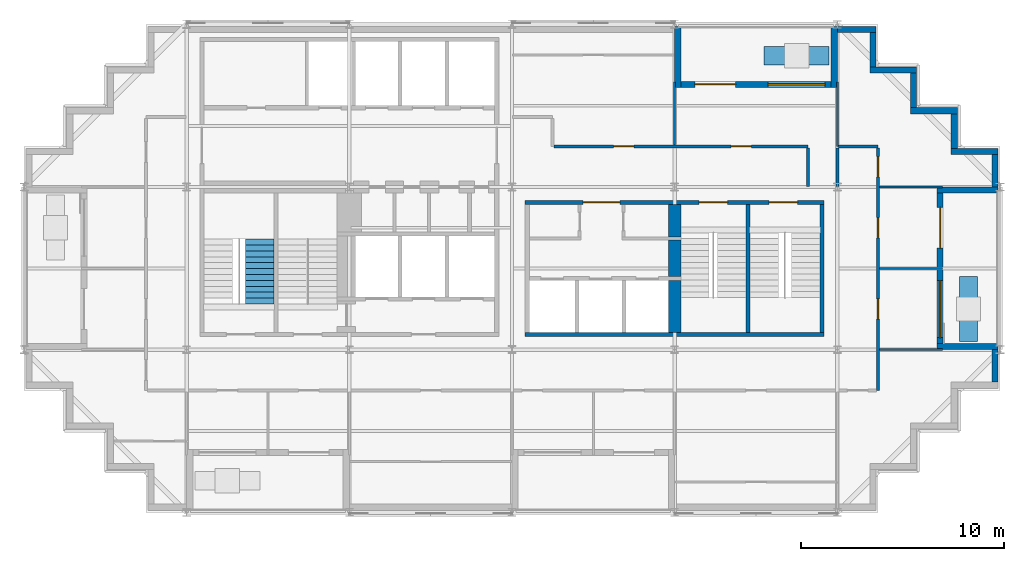
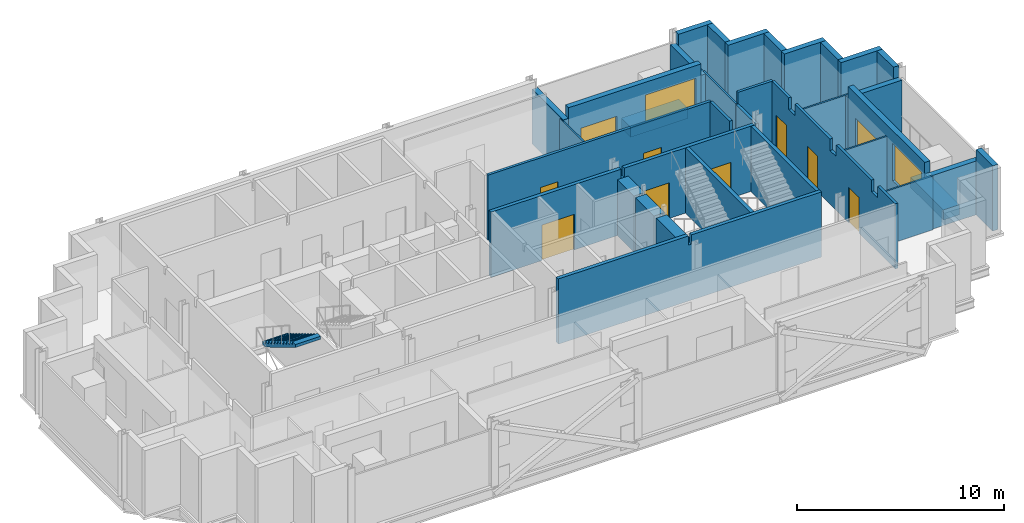
# One storey, part 7 of 10: 34 walls, 10 doors, 2 windows, 1 stair flight, 12 openings, 1 element without a shape of its own.
"""IFC4 building model written with IfcOpenShell, lengths in metres."""

from ifc_helpers import new_model, si_unit, direction, frame, frame_2d, origin, place, context, subcontext, project, spatial, polyline, rectangle, outline, extrude, material, layer, layer_set, type_object, element, fill, aggregate, save


model = new_model("IFC4")

# Units and contexts
model_context = context("Model", 3, precision=1e-05, world=origin(), true_north=direction((0.0, 1.0)))
body_context = subcontext(model_context, "Body", "Model", "MODEL_VIEW")
ifc_project = project(units=[si_unit("LENGTHUNIT", "METRE"), si_unit("AREAUNIT", "SQUARE_METRE"), si_unit("VOLUMEUNIT", "CUBIC_METRE"), si_unit("PLANEANGLEUNIT", "RADIAN"), si_unit("MASSUNIT", "GRAM", prefix="KILO")], contexts=[model_context])

# Site, building, storey
site_placement = place(None, origin())
site = spatial("IfcSite", under=ifc_project, at=site_placement, CompositionType="ELEMENT")
building_placement = place(site_placement, origin())
building = spatial("IfcBuilding", under=site, at=building_placement, Name="Immortelle Media Tower", CompositionType="ELEMENT")
storey_placement = place(building_placement, frame((0.0, 0.0, 251.0)))
storey = spatial("IfcBuildingStorey", under=building, at=storey_placement, Name="L54", CompositionType="ELEMENT", Elevation=251.0)

# Wall, openings, doors
ifc_material_1 = material(Name="Fire-rated gypsum board", Category="gypsum")
ifc_layer_1 = layer(ifc_material_1, 0.012451171875)
ifc_material_2 = material(Name="Steel ASTM A653 SS Gr 50 stud frame with mineral wool", Category="steel")
ifc_layer_2 = layer(ifc_material_2, 0.125)
ifc_layer_3 = layer(ifc_material_1, 0.012451171875)
ifc_layer_set_1 = layer_set([ifc_layer_1, ifc_layer_2, ifc_layer_3], Name="Steel ASTM A653 SS Gr 50 stud frame with mineral wool")
wall_type_1 = type_object("IfcWallType", Name="Corridor wall 150", PredefinedType="PARTITIONING", material=ifc_layer_set_1)
wall_1_placement = place(storey_placement, frame((42.0, 6.0, 0.0), z_axis=(0.0, 0.0, 1.0), x_axis=(0.0, 1.0, 0.0)))
wall_1 = element("IfcWall", 1, at=wall_1_placement, inside=storey, type_object=wall_type_1, Name="Partition L54-015", PredefinedType="PARTITIONING", context=body_context, shape_type="SweptSolid", body=[
    extrude(outline(polyline([(0.0, 0.0), (11.925048828125, 0.0), (11.925048828125, 3.85009765625), (10.300048828125, 3.85009765625), (10.298095703125, 3.172119140625), (9.701904296875, 3.172119140625), (9.699951171875, 3.85009765625), (6.300048828125, 3.85009765625), (6.298095703125, 3.172119140625), (5.701904296875, 3.172119140625), (5.699951171875, 3.85009765625), (2.300048828125, 3.85009765625), (2.298095703125, 3.172119140625), (1.701904296875, 3.172119140625), (1.699951171875, 3.85009765625), (0.0, 3.85009765625), (0.0, 0.0)])), frame((0.0, 0.074951171875, 0.0), z_axis=(0.0, -1.0, 0.0), x_axis=(1.0, 0.0, 0.0)), (0.0, 0.0, 1.0), 0.14990234375),
])
opening_1_placement = place(wall_1_placement, frame((4.5, 0.0, 0.0), z_axis=(0.0, 0.0, 1.0), x_axis=(-1.0, 0.0, 0.0)))
opening_1 = element("IfcOpeningElement", 2, at=opening_1_placement, cuts=wall_1, Name="Opening X1-F014", PredefinedType="OPENING", context=body_context, shape_type="SweptSolid", body=[
    extrude(rectangle(XDim=1.0, YDim=2.10009765625, at=frame_2d((0.5, 1.050048828125))), frame((0.0, 0.0849609375, 0.0), z_axis=(0.0, -1.0, 0.0), x_axis=(1.0, 0.0, 0.0)), (0.0, 0.0, 1.0), 0.169921875),
])
opening_2_placement = place(wall_1_placement, frame((8.5, 0.0, 0.0), z_axis=(0.0, 0.0, 1.0), x_axis=(-1.0, 0.0, 0.0)))
opening_2 = element("IfcOpeningElement", 3, at=opening_2_placement, cuts=wall_1, Name="Opening X1-F015", PredefinedType="OPENING", context=body_context, shape_type="SweptSolid", body=[
    extrude(rectangle(XDim=1.0, YDim=2.10009765625, at=frame_2d((0.5, 1.050048828125))), frame((0.0, 0.0849609375, 0.0), z_axis=(0.0, -1.0, 0.0), x_axis=(1.0, 0.0, 0.0)), (0.0, 0.0, 1.0), 0.169921875),
])
opening_3_placement = place(wall_1_placement, frame((11.5, 0.0, 0.0), z_axis=(0.0, 0.0, 1.0), x_axis=(-1.0, 0.0, 0.0)))
opening_3 = element("IfcOpeningElement", 4, at=opening_3_placement, cuts=wall_1, Name="Opening X1-F017", PredefinedType="OPENING", context=body_context, shape_type="SweptSolid", body=[
    extrude(rectangle(XDim=1.0, YDim=2.10009765625, at=frame_2d((0.5, 1.050048828125))), frame((0.0, 0.0849609375, 0.0), z_axis=(0.0, -1.0, 0.0), x_axis=(1.0, 0.0, 0.0)), (0.0, 0.0, 1.0), 0.169921875),
])
ifc_material_3 = material(Name="Timber veneered door leaf, galvanised steel frame ASTM A653", Category="steel")
door_type_1 = type_object("IfcDoorType", Name="Room door 1000 x 2100", OperationType="NOTDEFINED", PredefinedType="DOOR", material=ifc_material_3)
door_1_placement = place(opening_1_placement, origin())
door_1 = element("IfcDoor", 5, at=door_1_placement, inside=storey, type_object=door_type_1, Name="Door X1-F014", OperationType="SINGLE_SWING_LEFT", OverallHeight=2.10009765625, OverallWidth=1.0, PredefinedType="DOOR", context=body_context, shape_type="SweptSolid", body=[
    extrude(rectangle(XDim=1.0, YDim=2.10009765625, at=frame_2d((0.5, 1.050048828125))), frame((0.0, 0.02490234375, 0.0), z_axis=(0.0, -1.0, 0.0), x_axis=(1.0, 0.0, 0.0)), (0.0, 0.0, 1.0), 0.050048828125),
])
fill(opening_1, door_1)
door_2_placement = place(opening_2_placement, origin())
door_2 = element("IfcDoor", 6, at=door_2_placement, inside=storey, type_object=door_type_1, Name="Door X1-F015", OperationType="SINGLE_SWING_LEFT", OverallHeight=2.10009765625, OverallWidth=1.0, PredefinedType="DOOR", context=body_context, shape_type="SweptSolid", body=[
    extrude(rectangle(XDim=1.0, YDim=2.10009765625, at=frame_2d((0.5, 1.050048828125))), frame((0.0, 0.02490234375, 0.0), z_axis=(0.0, -1.0, 0.0), x_axis=(1.0, 0.0, 0.0)), (0.0, 0.0, 1.0), 0.050048828125),
])
fill(opening_2, door_2)
door_3_placement = place(opening_3_placement, origin())
door_3 = element("IfcDoor", 7, at=door_3_placement, inside=storey, type_object=door_type_1, Name="Door X1-F017", OperationType="SINGLE_SWING_RIGHT", OverallHeight=2.10009765625, OverallWidth=1.0, PredefinedType="DOOR", context=body_context, shape_type="SweptSolid", body=[
    extrude(rectangle(XDim=1.0, YDim=2.10009765625, at=frame_2d((0.5, 1.050048828125))), frame((0.0, 0.02490234375, 0.0), z_axis=(0.0, -1.0, 0.0), x_axis=(1.0, 0.0, 0.0)), (0.0, 0.0, 1.0), 0.050048828125),
])
fill(opening_3, door_3)

# Walls
wall_2_placement = place(storey_placement, frame((38.550048828125, 16.030029296875, 0.0), z_axis=(0.0, 0.0, 1.0), x_axis=(0.0, 1.0, 0.0)))
element("IfcWall", 8, at=wall_2_placement, inside=storey, type_object=wall_type_1, Name="Partition L54-022", PredefinedType="PARTITIONING", context=body_context, shape_type="SweptSolid", body=[
    extrude(rectangle(XDim=1.89501953125, YDim=0.14990234375, at=frame_2d((0.947509765625, 0.0))), origin(), (0.0, 0.0, 1.0), 3.85009765625),
])
wall_3_placement = place(storey_placement, frame((40.0, 16.030029296875, 0.0), z_axis=(0.0, 0.0, 1.0), x_axis=(0.0, 1.0, 0.0)))
element("IfcWall", 9, at=wall_3_placement, inside=storey, type_object=wall_type_1, Name="Partition L54-023", PredefinedType="PARTITIONING", context=body_context, shape_type="SweptSolid", body=[
    extrude(rectangle(XDim=1.89501953125, YDim=0.14990234375, at=frame_2d((0.947509765625, 0.0))), origin(), (0.0, 0.0, 1.0), 3.172119140625),
])

# Wall, openings, doors
wall_4_placement = place(storey_placement, frame((26.074951171875, 18.0, 0.0), z_axis=(0.0, 0.0, 1.0), x_axis=(1.0, 0.0, 0.0)))
wall_4 = element("IfcWall", 10, at=wall_4_placement, inside=storey, type_object=wall_type_1, Name="Partition L54-024", PredefinedType="PARTITIONING", context=body_context, shape_type="SweptSolid", body=[
    extrude(rectangle(XDim=12.47509765625, YDim=0.14990234375, at=frame_2d((6.237548828125, 0.0))), origin(), (0.0, 0.0, 1.0), 3.85009765625),
])
opening_4_placement = place(wall_4_placement, frame((9.699951171875, 0.0, 0.0), z_axis=(0.0, 0.0, 1.0), x_axis=(-1.0, 0.0, 0.0)))
opening_4 = element("IfcOpeningElement", 11, at=opening_4_placement, cuts=wall_4, Name="Opening X1-F018", PredefinedType="OPENING", context=body_context, shape_type="SweptSolid", body=[
    extrude(rectangle(XDim=1.0, YDim=2.10009765625, at=frame_2d((0.5, 1.050048828125))), frame((0.0, 0.0849609375, 0.0), z_axis=(0.0, -1.0, 0.0), x_axis=(1.0, 0.0, 0.0)), (0.0, 0.0, 1.0), 0.169921875),
])
opening_5_placement = place(wall_4_placement, frame((2.925048828125, 0.0, 0.0)))
opening_5 = element("IfcOpeningElement", 12, at=opening_5_placement, cuts=wall_4, Name="Opening X1-F019", PredefinedType="OPENING", context=body_context, shape_type="SweptSolid", body=[
    extrude(rectangle(XDim=1.0, YDim=2.10009765625, at=frame_2d((0.5, 1.050048828125))), frame((0.0, 0.0849609375, 0.0), z_axis=(0.0, -1.0, 0.0), x_axis=(1.0, 0.0, 0.0)), (0.0, 0.0, 1.0), 0.169921875),
])
door_4_placement = place(opening_4_placement, origin())
door_4 = element("IfcDoor", 13, at=door_4_placement, inside=storey, type_object=door_type_1, Name="Door X1-F018", OperationType="SINGLE_SWING_LEFT", OverallHeight=2.10009765625, OverallWidth=1.0, PredefinedType="DOOR", context=body_context, shape_type="SweptSolid", body=[
    extrude(rectangle(XDim=1.0, YDim=2.10009765625, at=frame_2d((0.5, 1.050048828125))), frame((0.0, 0.02490234375, 0.0), z_axis=(0.0, -1.0, 0.0), x_axis=(1.0, 0.0, 0.0)), (0.0, 0.0, 1.0), 0.050048828125),
])
fill(opening_4, door_4)
door_5_placement = place(opening_5_placement, origin())
door_5 = element("IfcDoor", 14, at=door_5_placement, inside=storey, type_object=door_type_1, Name="Door X1-F019", OperationType="SINGLE_SWING_RIGHT", OverallHeight=2.10009765625, OverallWidth=1.0, PredefinedType="DOOR", context=body_context, shape_type="SweptSolid", body=[
    extrude(rectangle(XDim=1.0, YDim=2.10009765625, at=frame_2d((0.5, 1.050048828125))), frame((0.0, 0.02490234375, 0.0), z_axis=(0.0, -1.0, 0.0), x_axis=(1.0, 0.0, 0.0)), (0.0, 0.0, 1.0), 0.050048828125),
])
fill(opening_5, door_5)

# Walls
wall_5_placement = place(storey_placement, frame((40.050048828125, 18.0, 0.0), z_axis=(0.0, 0.0, 1.0), x_axis=(1.0, 0.0, 0.0)))
element("IfcWall", 15, at=wall_5_placement, inside=storey, type_object=wall_type_1, Name="Partition L54-027", PredefinedType="PARTITIONING", context=body_context, shape_type="SweptSolid", body=[
    extrude(rectangle(XDim=1.949951171875, YDim=0.14990234375, at=frame_2d((0.97509765625, 0.0))), origin(), (0.0, 0.0, 1.0), 3.85009765625),
])
ifc_material_4 = material(Name="Pale aluminium cladding panel", Category="aluminium")
ifc_layer_4 = layer(ifc_material_4, 0.030029296875)
ifc_layer_5 = layer(ifc_material_2, 0.257568359375)
ifc_material_5 = material(Name="Moisture-resistant gypsum board", Category="gypsum")
ifc_layer_6 = layer(ifc_material_5, 0.012451171875)
ifc_layer_set_2 = layer_set([ifc_layer_4, ifc_layer_5, ifc_layer_6], Name="Steel ASTM A653 SS Gr 50 stud frame with mineral wool")
wall_type_2 = type_object("IfcWallType", Name="Facade wall 300", PredefinedType="SOLIDWALL", material=ifc_layer_set_2)
wall_6_placement = place(storey_placement, frame((47.75, 6.39990234375, 0.0), z_axis=(0.0, 0.0, 1.0), x_axis=(0.0, 1.0, 0.0)))
element("IfcWall", 16, at=wall_6_placement, inside=storey, type_object=wall_type_2, Name="Facade wall L54 E13", PredefinedType="SOLIDWALL", context=body_context, shape_type="SweptSolid", body=[
    extrude(rectangle(XDim=1.60009765625, YDim=0.300048828125, at=frame_2d((0.800048828125, 0.0))), origin(), (0.0, 0.0, 1.0), 3.85009765625),
])

# Wall, openings, door, window
wall_7_placement = place(storey_placement, frame((45.050048828125, 8.300048828125, 0.0), z_axis=(0.0, 0.0, 1.0), x_axis=(0.0, 1.0, 0.0)))
wall_7 = element("IfcWall", 17, at=wall_7_placement, inside=storey, type_object=wall_type_2, Name="Loggia wall L54 E13", PredefinedType="SOLIDWALL", context=body_context, shape_type="SweptSolid", body=[
    extrude(rectangle(XDim=7.39990234375, YDim=0.300048828125, at=frame_2d((3.699951171875, 0.0))), origin(), (0.0, 0.0, 1.0), 3.85009765625),
])
opening_6_placement = place(wall_7_placement, frame((0.300048828125, 0.0, 0.89990234375)))
opening_6 = element("IfcOpeningElement", 18, at=opening_6_placement, cuts=wall_7, Name="Opening W1", PredefinedType="OPENING", context=body_context, shape_type="SweptSolid", body=[
    extrude(rectangle(XDim=2.800048828125, YDim=2.199951171875, at=frame_2d((1.39990234375, 1.10009765625))), frame((0.0, 0.159912109375, 0.0), z_axis=(0.0, -1.0, 0.0), x_axis=(1.0, 0.0, 0.0)), (0.0, 0.0, 1.0), 0.320068359375),
])
opening_7_placement = place(wall_7_placement, frame((4.699951171875, 0.0, 0.0)))
opening_7 = element("IfcOpeningElement", 19, at=opening_7_placement, cuts=wall_7, Name="Opening X1-E003", PredefinedType="OPENING", context=body_context, shape_type="SweptSolid", body=[
    extrude(rectangle(XDim=2.0, YDim=2.39990234375, at=frame_2d((1.0, 1.199951171875))), frame((0.0, 0.159912109375, 0.0), z_axis=(0.0, -1.0, 0.0), x_axis=(1.0, 0.0, 0.0)), (0.0, 0.0, 1.0), 0.320068359375),
])
ifc_material_6 = material(Name="Aluminium frame, glazed leaves", Category="aluminium")
door_type_2 = type_object("IfcDoorType", Name="Loggia door 2000 x 2400", OperationType="DOUBLE_DOOR_SINGLE_SWING", PredefinedType="DOOR", material=ifc_material_6)
door_6_placement = place(opening_7_placement, origin())
door_6 = element("IfcDoor", 20, at=door_6_placement, inside=storey, type_object=door_type_2, Name="Door X1-E003", OperationType="DOUBLE_DOOR_SINGLE_SWING", OverallHeight=2.39990234375, OverallWidth=2.0, PredefinedType="DOOR", context=body_context, shape_type="SweptSolid", body=[
    extrude(rectangle(XDim=2.0, YDim=2.39990234375, at=frame_2d((1.0, 1.199951171875))), frame((0.0, 0.02490234375, 0.0), z_axis=(0.0, -1.0, 0.0), x_axis=(1.0, 0.0, 0.0)), (0.0, 0.0, 1.0), 0.050048828125),
])
fill(opening_7, door_6)
ifc_material_7 = material(Name="Aluminium frame", Category="aluminium")
window_type = type_object("IfcWindowType", Name="Window 2800 x 2200", PartitioningType="SINGLE_PANEL", PredefinedType="WINDOW", material=ifc_material_7)
window_1_placement = place(opening_6_placement, origin())
window_1 = element("IfcWindow", 21, at=window_1_placement, inside=storey, type_object=window_type, Name="Window L54 L54-R13-B0", OverallHeight=2.199951171875, OverallWidth=2.800048828125, PartitioningType="SINGLE_PANEL", PredefinedType="WINDOW", context=body_context, shape_type="SweptSolid", body=[
    extrude(rectangle(XDim=2.800048828125, YDim=2.199951171875, at=frame_2d((1.39990234375, 1.10009765625))), frame((0.0, 0.030029296875, 0.0), z_axis=(0.0, -1.0, 0.0), x_axis=(1.0, 0.0, 0.0)), (0.0, 0.0, 1.0), 0.06005859375),
])
fill(opening_6, window_1)

# Walls
for number, where, z_axis, x_axis, name in (
    (22, (47.89990234375, 8.14990234375, 0.0), (0.0, 0.0, 1.0), (-1.0, 0.0, 0.0), "Loggia cheek wall L54 E"),
    (23, (47.89990234375, 15.85009765625, 0.0), (0.0, 0.0, 1.0), (-1.0, 0.0, 0.0), "Loggia cheek wall L54 E"),
):
    element("IfcWall", number, at=place(storey_placement, frame(where, z_axis=z_axis, x_axis=x_axis)), inside=storey, type_object=wall_type_2, Name=name, PredefinedType="SOLIDWALL", context=body_context, shape_type="SweptSolid", body=[
        extrude(rectangle(XDim=3.0, YDim=0.300048828125, at=frame_2d((1.5, 0.0))), origin(), (0.0, 0.0, 1.0), 3.1708984375),
    ])
wall_8_placement = place(storey_placement, frame((47.75, 16.0, 0.0), z_axis=(0.0, 0.0, 1.0), x_axis=(0.0, 1.0, 0.0)))
element("IfcWall", 24, at=wall_8_placement, inside=storey, type_object=wall_type_2, Name="Facade wall L54 E13", PredefinedType="SOLIDWALL", context=body_context, shape_type="SweptSolid", body=[
    extrude(rectangle(XDim=1.60009765625, YDim=0.300048828125, at=frame_2d((0.800048828125, 0.0))), origin(), (0.0, 0.0, 1.0), 3.85009765625),
])
wall_9_placement = place(storey_placement, frame((47.89990234375, 17.75, 0.0), z_axis=(0.0, 0.0, 1.0), x_axis=(-1.0, 0.0, 0.0)))
element("IfcWall", 25, at=wall_9_placement, inside=storey, type_object=wall_type_2, Name="Facade wall L54 N14", PredefinedType="SOLIDWALL", context=body_context, shape_type="SweptSolid", body=[
    extrude(rectangle(XDim=2.2998046875, YDim=0.300048828125, at=frame_2d((1.14990234375, 0.0))), origin(), (0.0, 0.0, 1.0), 3.85009765625),
])
wall_10_placement = place(storey_placement, frame((45.75, 17.89990234375, 0.0), z_axis=(0.0, 0.0, 1.0), x_axis=(0.0, 1.0, 0.0)))
element("IfcWall", 26, at=wall_10_placement, inside=storey, type_object=wall_type_2, Name="Facade wall L54 E15", PredefinedType="SOLIDWALL", context=body_context, shape_type="SweptSolid", body=[
    extrude(rectangle(XDim=1.7001953125, YDim=0.300048828125, at=frame_2d((0.85009765625, 0.0))), origin(), (0.0, 0.0, 1.0), 3.85009765625),
])
wall_11_placement = place(storey_placement, frame((45.89990234375, 19.75, 0.0), z_axis=(0.0, 0.0, 1.0), x_axis=(-1.0, 0.0, 0.0)))
element("IfcWall", 27, at=wall_11_placement, inside=storey, type_object=wall_type_2, Name="Facade wall L54 N16", PredefinedType="SOLIDWALL", context=body_context, shape_type="SweptSolid", body=[
    extrude(rectangle(XDim=2.2998046875, YDim=0.300048828125, at=frame_2d((1.14990234375, 0.0))), origin(), (0.0, 0.0, 1.0), 3.85009765625),
])
wall_12_placement = place(storey_placement, frame((43.75, 19.89990234375, 0.0), z_axis=(0.0, 0.0, 1.0), x_axis=(0.0, 1.0, 0.0)))
element("IfcWall", 28, at=wall_12_placement, inside=storey, type_object=wall_type_2, Name="Facade wall L54 E17", PredefinedType="SOLIDWALL", context=body_context, shape_type="SweptSolid", body=[
    extrude(rectangle(XDim=1.7001953125, YDim=0.300048828125, at=frame_2d((0.85009765625, 0.0))), origin(), (0.0, 0.0, 1.0), 3.85009765625),
])
wall_13_placement = place(storey_placement, frame((43.89990234375, 21.75, 0.0), z_axis=(0.0, 0.0, 1.0), x_axis=(-1.0, 0.0, 0.0)))
element("IfcWall", 29, at=wall_13_placement, inside=storey, type_object=wall_type_2, Name="Facade wall L54 N18", PredefinedType="SOLIDWALL", context=body_context, shape_type="SweptSolid", body=[
    extrude(rectangle(XDim=2.2998046875, YDim=0.300048828125, at=frame_2d((1.14990234375, 0.0))), origin(), (0.0, 0.0, 1.0), 3.85009765625),
])
wall_14_placement = place(storey_placement, frame((41.75, 21.89990234375, 0.0), z_axis=(0.0, 0.0, 1.0), x_axis=(0.0, 1.0, 0.0)))
element("IfcWall", 30, at=wall_14_placement, inside=storey, type_object=wall_type_2, Name="Facade wall L54 E19", PredefinedType="SOLIDWALL", context=body_context, shape_type="SweptSolid", body=[
    extrude(rectangle(XDim=1.7001953125, YDim=0.300048828125, at=frame_2d((0.85009765625, 0.0))), origin(), (0.0, 0.0, 1.0), 3.85009765625),
])
wall_15_placement = place(storey_placement, frame((41.89990234375, 23.75, 0.0), z_axis=(0.0, 0.0, 1.0), x_axis=(-1.0, 0.0, 0.0)))
element("IfcWall", 31, at=wall_15_placement, inside=storey, type_object=wall_type_2, Name="Facade wall L54 N20", PredefinedType="SOLIDWALL", context=body_context, shape_type="SweptSolid", body=[
    extrude(rectangle(XDim=1.89990234375, YDim=0.300048828125, at=frame_2d((0.949951171875, 0.0))), origin(), (0.0, 0.0, 1.0), 3.85009765625),
])

# Wall, openings, door, window
wall_16_placement = place(storey_placement, frame((39.699951171875, 21.050048828125, 0.0), z_axis=(0.0, 0.0, 1.0), x_axis=(-1.0, 0.0, 0.0)))
wall_16 = element("IfcWall", 32, at=wall_16_placement, inside=storey, type_object=wall_type_2, Name="Loggia wall L54 N20", PredefinedType="SOLIDWALL", context=body_context, shape_type="SweptSolid", body=[
    extrude(rectangle(XDim=7.39990234375, YDim=0.300048828125, at=frame_2d((3.699951171875, 0.0))), origin(), (0.0, 0.0, 1.0), 3.85009765625),
])
opening_8_placement = place(wall_16_placement, frame((0.300048828125, 0.0, 0.89990234375)))
opening_8 = element("IfcOpeningElement", 33, at=opening_8_placement, cuts=wall_16, Name="Opening W1", PredefinedType="OPENING", context=body_context, shape_type="SweptSolid", body=[
    extrude(rectangle(XDim=2.800048828125, YDim=2.199951171875, at=frame_2d((1.39990234375, 1.10009765625))), frame((0.0, 0.159912109375, 0.0), z_axis=(0.0, -1.0, 0.0), x_axis=(1.0, 0.0, 0.0)), (0.0, 0.0, 1.0), 0.320068359375),
])
opening_9_placement = place(wall_16_placement, frame((4.699951171875, 0.0, 0.0)))
opening_9 = element("IfcOpeningElement", 34, at=opening_9_placement, cuts=wall_16, Name="Opening X1-E004", PredefinedType="OPENING", context=body_context, shape_type="SweptSolid", body=[
    extrude(rectangle(XDim=2.0, YDim=2.39990234375, at=frame_2d((1.0, 1.199951171875))), frame((0.0, 0.159912109375, 0.0), z_axis=(0.0, -1.0, 0.0), x_axis=(1.0, 0.0, 0.0)), (0.0, 0.0, 1.0), 0.320068359375),
])
door_7_placement = place(opening_9_placement, origin())
door_7 = element("IfcDoor", 35, at=door_7_placement, inside=storey, type_object=door_type_2, Name="Door X1-E004", OperationType="DOUBLE_DOOR_SINGLE_SWING", OverallHeight=2.39990234375, OverallWidth=2.0, PredefinedType="DOOR", context=body_context, shape_type="SweptSolid", body=[
    extrude(rectangle(XDim=2.0, YDim=2.39990234375, at=frame_2d((1.0, 1.199951171875))), frame((0.0, 0.02490234375, 0.0), z_axis=(0.0, -1.0, 0.0), x_axis=(1.0, 0.0, 0.0)), (0.0, 0.0, 1.0), 0.050048828125),
])
fill(opening_9, door_7)
window_2_placement = place(opening_8_placement, origin())
window_2 = element("IfcWindow", 36, at=window_2_placement, inside=storey, type_object=window_type, Name="Window L54 L54-R20-B0", OverallHeight=2.199951171875, OverallWidth=2.800048828125, PartitioningType="SINGLE_PANEL", PredefinedType="WINDOW", context=body_context, shape_type="SweptSolid", body=[
    extrude(rectangle(XDim=2.800048828125, YDim=2.199951171875, at=frame_2d((1.39990234375, 1.10009765625))), frame((0.0, 0.030029296875, 0.0), z_axis=(0.0, -1.0, 0.0), x_axis=(1.0, 0.0, 0.0)), (0.0, 0.0, 1.0), 0.06005859375),
])
fill(opening_8, window_2)

# Walls
wall_17_placement = place(storey_placement, frame((39.85009765625, 23.89990234375, 0.0), z_axis=(0.0, 0.0, 1.0), x_axis=(0.0, -1.0, 0.0)))
element("IfcWall", 37, at=wall_17_placement, inside=storey, type_object=wall_type_2, Name="Loggia cheek wall L54 N", PredefinedType="SOLIDWALL", context=body_context, shape_type="SweptSolid", body=[
    extrude(rectangle(XDim=3.0, YDim=0.300048828125, at=frame_2d((1.5, 0.0))), origin(), (0.0, 0.0, 1.0), 3.1708984375),
])
wall_18_placement = place(storey_placement, frame((32.14990234375, 23.89990234375, 0.0), z_axis=(0.0, 0.0, 1.0), x_axis=(0.0, -1.0, 0.0)))
element("IfcWall", 38, at=wall_18_placement, inside=storey, type_object=wall_type_2, Name="Loggia cheek wall L54 N", PredefinedType="SOLIDWALL", context=body_context, shape_type="SweptSolid", body=[
    extrude(rectangle(XDim=3.0, YDim=0.300048828125, at=frame_2d((1.5, 0.0))), origin(), (0.0, 0.0, 1.0), 3.237060546875),
])
ifc_material_8 = material(Name="Gypsum board", Category="gypsum")
ifc_layer_7 = layer(ifc_material_8, 0.012451171875)
ifc_layer_8 = layer(ifc_material_2, 0.074951171875)
ifc_layer_9 = layer(ifc_material_8, 0.012451171875)
ifc_layer_set_3 = layer_set([ifc_layer_7, ifc_layer_8, ifc_layer_9], Name="Steel ASTM A653 SS Gr 50 stud frame with mineral wool")
wall_type_3 = type_object("IfcWallType", Name="Partition 100", PredefinedType="PARTITIONING", material=ifc_layer_set_3)
for number, where, z_axis, x_axis, name in (
    (39, (42.074951171875, 8.0, 0.0), (0.0, 0.0, 1.0), (1.0, 0.0, 0.0), "Partition L54-017"),
    (40, (42.074951171875, 12.0, 0.0), (0.0, 0.0, 1.0), (1.0, 0.0, 0.0), "Partition L54-019"),
    (41, (42.074951171875, 16.0, 0.0), (0.0, 0.0, 1.0), (1.0, 0.0, 0.0), "Partition L54-021"),
    (42, (32.0, 18.074951171875, 0.0), (0.0, 0.0, 1.0), (0.0, 1.0, 0.0), "Partition L54-026"),
):
    element("IfcWall", number, at=place(storey_placement, frame(where, z_axis=z_axis, x_axis=x_axis)), inside=storey, type_object=wall_type_3, Name=name, PredefinedType="PARTITIONING", context=body_context, shape_type="SweptSolid", body=[
        extrude(rectangle(XDim=3.094970703125, YDim=0.10009765625, at=frame_2d((1.54736328125, 0.0))), origin(), (0.0, 0.0, 1.0), 3.172119140625),
    ])
wall_19_placement = place(storey_placement, frame((40.0, 18.0, 0.0), z_axis=(0.0, 0.0, 1.0), x_axis=(0.0, 1.0, 0.0)))
element("IfcWall", 43, at=wall_19_placement, inside=storey, type_object=wall_type_3, Name="Partition L54-028", PredefinedType="PARTITIONING", context=body_context, shape_type="SweptSolid", body=[
    extrude(rectangle(XDim=3.169921875, YDim=0.10009765625, at=frame_2d((1.5849609375, 0.0))), origin(), (0.0, 0.0, 1.0), 3.172119140625),
])
ifc_layer_10 = layer(ifc_material_4, 0.0029296875)
ifc_material_9 = material(Name="Steel ASTM A572 Gr 50 planter shell", Category="steel")
ifc_layer_11 = layer(ifc_material_9, 0.011962890625)
ifc_material_10 = material(Name="Planting substrate", Category="soil")
ifc_layer_12 = layer(ifc_material_10, 0.873046875)
ifc_layer_13 = layer(ifc_material_9, 0.011962890625)
ifc_layer_set_4 = layer_set([ifc_layer_10, ifc_layer_11, ifc_layer_12, ifc_layer_13], Name="Steel ASTM A572 Gr 50 planter shell")
wall_type_4 = type_object("IfcWallType", Name="Planter wall 900", PredefinedType="SOLIDWALL", material=ifc_layer_set_4)
for number, where, z_axis, x_axis, name in (
    (44, (46.449951171875, 8.39990234375, 0.0), (0.0, 0.0, 1.0), (0.0, 1.0, 0.0), "Planter L54 E0"),
    (45, (39.60009765625, 22.449951171875, 0.0), (0.0, 0.0, 1.0), (-1.0, 0.0, 0.0), "Planter L54 N0"),
):
    element("IfcWall", number, at=place(storey_placement, frame(where, z_axis=z_axis, x_axis=x_axis)), inside=storey, type_object=wall_type_4, Name=name, PredefinedType="SOLIDWALL", context=body_context, shape_type="SweptSolid", body=[
        extrude(rectangle(XDim=3.2001953125, YDim=0.89990234375, at=frame_2d((1.60009765625, 0.0))), origin(), (0.0, 0.0, 1.0), 0.60009765625),
    ])
ifc_material_11 = material(Name="Concrete C60", Category="concrete")
ifc_layer_14 = layer(ifc_material_11, 0.199951171875)
ifc_layer_set_5 = layer_set([ifc_layer_14], Name="Concrete C60")
wall_type_5 = type_object("IfcWallType", Name="Stair shaft wall 200", PredefinedType="PARTITIONING", material=ifc_layer_set_5)
wall_20_placement = place(storey_placement, frame((24.64990234375, 8.75, 0.0), z_axis=(0.0, 0.0, 1.0), x_axis=(1.0, 0.0, 0.0)))
element("IfcWall", 46, at=wall_20_placement, inside=storey, type_object=wall_type_5, Name="Stair shaft wall SE", PredefinedType="PARTITIONING", context=body_context, shape_type="SweptSolid", body=[
    extrude(outline(polyline([(0.0, 0.0), (14.7001953125, 0.0), (14.699951171875, 3.85009765625), (7.4384765625, 3.85009765625), (7.4375, 3.30810546875), (7.262451171875, 3.30810546875), (7.261474609375, 3.85009765625), (0.0, 3.85009765625), (0.0, 0.0)])), frame((0.0, 0.10009765625, 0.0), z_axis=(0.0, -1.0, 0.0), x_axis=(1.0, 0.0, 0.0)), (0.0, 0.0, 1.0), 0.199951171875),
])

# Wall, openings, doors
wall_21_placement = place(storey_placement, frame((24.64990234375, 15.25, 0.0), z_axis=(0.0, 0.0, 1.0), x_axis=(1.0, 0.0, 0.0)))
wall_21 = element("IfcWall", 47, at=wall_21_placement, inside=storey, type_object=wall_type_5, Name="Stair shaft wall SE", PredefinedType="PARTITIONING", context=body_context, shape_type="SweptSolid", body=[
    extrude(outline(polyline([(0.0, 0.0), (14.7001953125, 0.0), (14.699951171875, 3.85009765625), (7.4384765625, 3.85009765625), (7.4375, 3.30810546875), (7.262451171875, 3.30810546875), (7.261474609375, 3.85009765625), (0.0, 3.85009765625), (0.0, 0.0)])), frame((0.0, 0.10009765625, 0.0), z_axis=(0.0, -1.0, 0.0), x_axis=(1.0, 0.0, 0.0)), (0.0, 0.0, 1.0), 0.199951171875),
])
opening_10_placement = place(wall_21_placement, frame((2.85009765625, 0.0, 0.0)))
opening_10 = element("IfcOpeningElement", 48, at=opening_10_placement, cuts=wall_21, Name="Opening X1-K022", PredefinedType="OPENING", context=body_context, shape_type="SweptSolid", body=[
    extrude(rectangle(XDim=1.800048828125, YDim=2.10009765625, at=frame_2d((0.89990234375, 1.050048828125))), frame((0.0, 0.10986328125, 0.0), z_axis=(0.0, -1.0, 0.0), x_axis=(1.0, 0.0, 0.0)), (0.0, 0.0, 1.0), 0.219970703125),
])
opening_11_placement = place(wall_21_placement, frame((9.949951171875, 0.0, 0.0), z_axis=(0.0, 0.0, 1.0), x_axis=(-1.0, 0.0, 0.0)))
opening_11 = element("IfcOpeningElement", 49, at=opening_11_placement, cuts=wall_21, Name="Opening X1-K025", PredefinedType="OPENING", context=body_context, shape_type="SweptSolid", body=[
    extrude(rectangle(XDim=1.39990234375, YDim=2.10009765625, at=frame_2d((0.699951171875, 1.050048828125))), frame((0.0, 0.10986328125, 0.0), z_axis=(0.0, -1.0, 0.0), x_axis=(1.0, 0.0, 0.0)), (0.0, 0.0, 1.0), 0.219970703125),
])
opening_12_placement = place(wall_21_placement, frame((13.39990234375, 0.0, 0.0), z_axis=(0.0, 0.0, 1.0), x_axis=(-1.0, 0.0, 0.0)))
opening_12 = element("IfcOpeningElement", 50, at=opening_12_placement, cuts=wall_21, Name="Opening X1-K026", PredefinedType="OPENING", context=body_context, shape_type="SweptSolid", body=[
    extrude(rectangle(XDim=1.39990234375, YDim=2.10009765625, at=frame_2d((0.699951171875, 1.050048828125))), frame((0.0, 0.10986328125, 0.0), z_axis=(0.0, -1.0, 0.0), x_axis=(1.0, 0.0, 0.0)), (0.0, 0.0, 1.0), 0.219970703125),
])
ifc_material_12 = material(Name="Galvanised steel door leaf and frame ASTM A653", Category="steel")
door_type_3 = type_object("IfcDoorType", Name="Lift lobby door 1800 x 2100", OperationType="DOUBLE_DOOR_SINGLE_SWING", PredefinedType="NOTDEFINED", material=ifc_material_12)
door_8_placement = place(opening_10_placement, origin())
door_8 = element("IfcDoor", 51, at=door_8_placement, inside=storey, type_object=door_type_3, Name="Lift lobby X1-K022", OperationType="DOUBLE_DOOR_SINGLE_SWING", OverallHeight=2.10009765625, OverallWidth=1.800048828125, PredefinedType="NOTDEFINED", context=body_context, shape_type="SweptSolid", body=[
    extrude(rectangle(XDim=1.800048828125, YDim=2.10009765625, at=frame_2d((0.89990234375, 1.050048828125))), frame((0.0, 0.02490234375, 0.0), z_axis=(0.0, -1.0, 0.0), x_axis=(1.0, 0.0, 0.0)), (0.0, 0.0, 1.0), 0.050048828125),
])
fill(opening_10, door_8)
door_type_4 = type_object("IfcDoorType", Name="Stair door 1400 x 2100", OperationType="DOUBLE_DOOR_SINGLE_SWING", PredefinedType="NOTDEFINED", material=ifc_material_12)
door_9_placement = place(opening_11_placement, origin())
door_9 = element("IfcDoor", 52, at=door_9_placement, inside=storey, type_object=door_type_4, Name="Stair X1-K025", OperationType="DOUBLE_DOOR_SINGLE_SWING", OverallHeight=2.10009765625, OverallWidth=1.39990234375, PredefinedType="NOTDEFINED", context=body_context, shape_type="SweptSolid", body=[
    extrude(rectangle(XDim=1.39990234375, YDim=2.10009765625, at=frame_2d((0.699951171875, 1.050048828125))), frame((0.0, 0.02490234375, 0.0), z_axis=(0.0, -1.0, 0.0), x_axis=(1.0, 0.0, 0.0)), (0.0, 0.0, 1.0), 0.050048828125),
])
fill(opening_11, door_9)
door_10_placement = place(opening_12_placement, origin())
door_10 = element("IfcDoor", 53, at=door_10_placement, inside=storey, type_object=door_type_4, Name="Stair X1-K026", OperationType="DOUBLE_DOOR_SINGLE_SWING", OverallHeight=2.10009765625, OverallWidth=1.39990234375, PredefinedType="NOTDEFINED", context=body_context, shape_type="SweptSolid", body=[
    extrude(rectangle(XDim=1.39990234375, YDim=2.10009765625, at=frame_2d((0.699951171875, 1.050048828125))), frame((0.0, 0.02490234375, 0.0), z_axis=(0.0, -1.0, 0.0), x_axis=(1.0, 0.0, 0.0)), (0.0, 0.0, 1.0), 0.050048828125),
])
fill(opening_12, door_10)

# Walls
for number, where, z_axis, x_axis, name in (
    (54, (35.60009765625, 8.85009765625, 0.0), (0.0, 0.0, 1.0), (0.0, 1.0, 0.0), "Stair shaft wall SE"),
    (55, (39.25, 8.85009765625, 0.0), (0.0, 0.0, 1.0), (0.0, 1.0, 0.0), "Stair shaft wall SE"),
):
    element("IfcWall", number, at=place(storey_placement, frame(where, z_axis=z_axis, x_axis=x_axis)), inside=storey, type_object=wall_type_5, Name=name, PredefinedType="PARTITIONING", context=body_context, shape_type="SweptSolid", body=[
        extrude(rectangle(XDim=6.2998046875, YDim=0.199951171875, at=frame_2d((3.14990234375, 0.0))), origin(), (0.0, 0.0, 1.0), 3.85009765625),
    ])
ifc_layer_15 = layer(ifc_material_11, 0.60009765625)
ifc_layer_set_6 = layer_set([ifc_layer_15], Name="Concrete C60")
wall_type_6 = type_object("IfcWallType", Name="Stair shaft wall 600", PredefinedType="PARTITIONING", material=ifc_layer_set_6)
wall_22_placement = place(storey_placement, frame((32.0, 8.85009765625, 0.0), z_axis=(0.0, 0.0, 1.0), x_axis=(0.0, 1.0, 0.0)))
element("IfcWall", 56, at=wall_22_placement, inside=storey, type_object=wall_type_6, Name="Stair shaft wall SE", PredefinedType="PARTITIONING", context=body_context, shape_type="SweptSolid", body=[
    extrude(rectangle(XDim=2.5498046875, YDim=0.60009765625, at=frame_2d((1.27490234375, 0.0))), origin(), (0.0, 0.0, 1.0), 3.30810546875),
])
wall_23_placement = place(storey_placement, frame((32.0, 11.60009765625, 0.0), z_axis=(0.0, 0.0, 1.0), x_axis=(0.0, 1.0, 0.0)))
element("IfcWall", 57, at=wall_23_placement, inside=storey, type_object=wall_type_6, Name="Stair shaft wall SE", PredefinedType="PARTITIONING", context=body_context, shape_type="SweptSolid", body=[
    extrude(rectangle(XDim=1.7998046875, YDim=0.60009765625, at=frame_2d((0.89990234375, 0.0))), origin(), (0.0, 0.0, 1.0), 3.30810546875),
])
wall_24_placement = place(storey_placement, frame((32.0, 13.550048828125, 0.0), z_axis=(0.0, 0.0, 1.0), x_axis=(0.0, 1.0, 0.0)))
element("IfcWall", 58, at=wall_24_placement, inside=storey, type_object=wall_type_6, Name="Stair shaft wall SE", PredefinedType="PARTITIONING", context=body_context, shape_type="SweptSolid", body=[
    extrude(rectangle(XDim=1.599853515625, YDim=0.60009765625, at=frame_2d((0.7998046875, 0.0))), origin(), (0.0, 0.0, 1.0), 3.30810546875),
])

# Stair, stair flight
ifc_material_13 = material(Name="Steel ASTM A992 Gr 50", Category="steel")
stair_type = type_object("IfcStairType", Name="Stair with flights", PredefinedType="DOUBLE_RETURN_STAIR", material=ifc_material_13)
stair_placement = place(storey_placement, origin())
stair = element("IfcStair", 59, at=stair_placement, inside=storey, type_object=stair_type, Name="Exit stair SW1", PredefinedType="DOUBLE_RETURN_STAIR")
stair_flight_type = type_object("IfcStairFlightType", Name="Stair flight 1400", PredefinedType="STRAIGHT", material=ifc_material_13)
stair_flight_placement = place(storey_placement, frame((11.60009765625, 13.43994140625, 1.9130859375), z_axis=(0.0, 0.0, 1.0), x_axis=(0.0, -1.0, 0.0)))
stair_flight = element("IfcStairFlight", 60, at=stair_flight_placement, type_object=stair_flight_type, Name="ST SW1 flight 2", NumberOfRisers=12, NumberOfTreads=11, PredefinedType="STRAIGHT", RiserHeight=0.173913043, TreadLength=0.29, context=body_context, shape_type="SweptSolid", body=[
    extrude(outline(polyline([(0.0, 0.0), (0.0, 0.173828125), (0.2900390625, 0.173828125), (0.2900390625, 0.347900390625), (0.580078125, 0.347900390625), (0.580078125, 0.521728515625), (0.8701171875, 0.521728515625), (0.8701171875, 0.695556640625), (1.159912109375, 0.695556640625), (1.159912109375, 0.86962890625), (1.449951171875, 0.86962890625), (1.449951171875, 1.04345703125), (1.739990234375, 1.04345703125), (1.739990234375, 1.21728515625), (2.030029296875, 1.21728515625), (2.030029296875, 1.391357421875), (2.320068359375, 1.391357421875), (2.320068359375, 1.565185546875), (2.610107421875, 1.565185546875), (2.610107421875, 1.739013671875), (2.89990234375, 1.739013671875), (2.89990234375, 1.9130859375), (3.18994140625, 1.9130859375), (3.18994140625, 2.0869140625), (3.18994140625, 1.73828125), (0.29150390625, 0.0), (0.0, 0.0)])), frame((0.0, 0.699951171875, 0.0), z_axis=(0.0, -1.0, 0.0), x_axis=(1.0, 0.0, 0.0)), (0.0, 0.0, 1.0), 1.39990234375),
])
aggregate(stair, [stair_flight])

save(model, "model.ifc")
